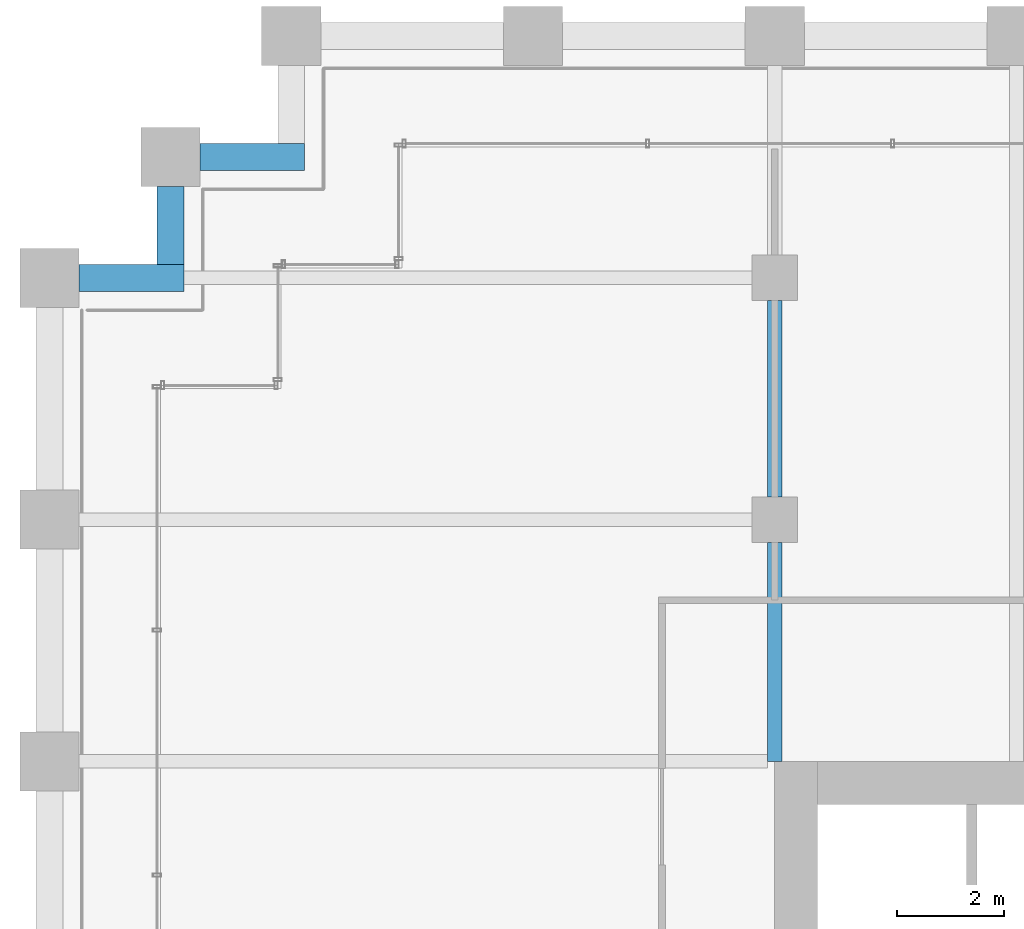
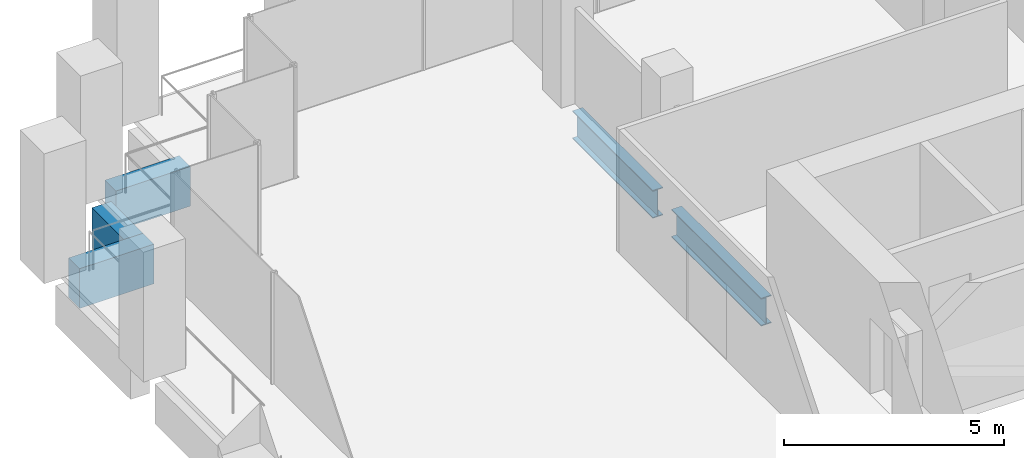
# One storey, part 25 of 54: 5 beams.
"""IFC4 building model written with IfcOpenShell, lengths in metres."""

from ifc_helpers import new_model, si_unit, direction, frame, origin, origin_2d, place, context, subcontext, project, spatial, rectangle, i_section, extrude, material, material_profile, profile_set, type_object, element, save


model = new_model("IFC4")

# Units and contexts
model_context = context("Model", 3, precision=1e-05, world=origin(), true_north=direction((0.0, 1.0)))
body_context = subcontext(model_context, "Body", "Model", "MODEL_VIEW")
ifc_project = project(units=[si_unit("LENGTHUNIT", "METRE"), si_unit("AREAUNIT", "SQUARE_METRE"), si_unit("VOLUMEUNIT", "CUBIC_METRE"), si_unit("PLANEANGLEUNIT", "RADIAN"), si_unit("MASSUNIT", "GRAM", prefix="KILO")], contexts=[model_context])

# Site, building, storey
site_placement = place(None, origin())
site = spatial("IfcSite", under=ifc_project, at=site_placement, CompositionType="ELEMENT")
building_placement = place(site_placement, origin())
building = spatial("IfcBuilding", under=site, at=building_placement, Name="Altepetl Exchange Towers", CompositionType="ELEMENT")
storey_placement = place(building_placement, frame((0.0, 0.0, 61.800048828125)))
storey = spatial("IfcBuildingStorey", under=building, at=storey_placement, Name="L14", CompositionType="ELEMENT", Elevation=61.800048828125)

# Beams
ifc_material_1 = material(Name="Steel S355", Category="steel")
ifc_material_profile_1 = material_profile(ifc_material_1, i_section(OverallWidth=0.26806640625, OverallDepth=0.77392578125, WebThickness=0.015380859375, FlangeThickness=0.025390625, at=origin_2d()), Name="W30X132")
ifc_profile_set_1 = profile_set([ifc_material_profile_1], Name="Steel S355")
beam_type_1 = type_object("IfcBeamType", Name="Girder W30X132", PredefinedType="BEAM", material=ifc_profile_set_1)
beam_1_placement = place(storey_placement, frame((40.5, 67.074951171875, -0.537109375), z_axis=(0.0, -1.0, 0.0), x_axis=(1.0, 0.0, 0.0)))
element("IfcBeam", 1, at=beam_1_placement, inside=storey, type_object=beam_type_1, Name="gd:A:L14:004", PredefinedType="BEAM", context=body_context, shape_type="SweptSolid", body=[
    extrude(i_section(OverallWidth=0.26806640625, OverallDepth=0.77392578125, WebThickness=0.015380859375, FlangeThickness=0.025390625, at=origin_2d()), origin(), (0.0, 0.0, 1.0), 3.64990234375),
])
beam_2_placement = place(storey_placement, frame((40.5, 62.574951171875, -0.537109375), z_axis=(0.0, -1.0, 0.0), x_axis=(1.0, 0.0, 0.0)))
element("IfcBeam", 2, at=beam_2_placement, inside=storey, type_object=beam_type_1, Name="gd:A:L14:005", PredefinedType="BEAM", context=body_context, shape_type="SweptSolid", body=[
    extrude(i_section(OverallWidth=0.26806640625, OverallDepth=0.77392578125, WebThickness=0.015380859375, FlangeThickness=0.025390625, at=origin_2d()), origin(), (0.0, 0.0, 1.0), 4.074951171875),
])
ifc_material_2 = material(Name="Concrete C50/60 precast with tezontle facing", Category="concrete")
ifc_material_profile_2 = material_profile(ifc_material_2, rectangle(XDim=0.5, YDim=1.10009765625, at=origin_2d()), Name="500 x 1100")
ifc_profile_set_2 = profile_set([ifc_material_profile_2], Name="Concrete C50/60 precast with tezontle facing")
beam_type_2 = type_object("IfcBeamType", Name="Spandrel beam 500x1100 tezontle", PredefinedType="SPANDREL", material=ifc_profile_set_2)
beam_3_placement = place(storey_placement, frame((31.75, 69.75, -0.699951171875), z_axis=(-1.0, 0.0, 0.0), x_axis=(0.0, -1.0, 0.0)))
element("IfcBeam", 3, at=beam_3_placement, inside=storey, type_object=beam_type_2, Name="sp:A:L14:033", PredefinedType="SPANDREL", context=body_context, shape_type="SweptSolid", body=[
    extrude(rectangle(XDim=0.5, YDim=1.10009765625, at=origin_2d()), origin(), (0.0, 0.0, 1.0), 1.949951171875),
])
beam_4_placement = place(storey_placement, frame((29.25, 69.199951171875, -0.699951171875), z_axis=(0.0, -1.0, 0.0), x_axis=(1.0, 0.0, 0.0)))
element("IfcBeam", 4, at=beam_4_placement, inside=storey, type_object=beam_type_2, Name="sp:A:L14:034", PredefinedType="SPANDREL", context=body_context, shape_type="SweptSolid", body=[
    extrude(rectangle(XDim=0.5, YDim=1.10009765625, at=origin_2d()), origin(), (0.0, 0.0, 1.0), 1.449951171875),
])
beam_5_placement = place(storey_placement, frame((29.5, 67.5, -0.699951171875), z_axis=(-1.0, 0.0, 0.0), x_axis=(0.0, -1.0, 0.0)))
element("IfcBeam", 5, at=beam_5_placement, inside=storey, type_object=beam_type_2, Name="sp:A:L14:035", PredefinedType="SPANDREL", context=body_context, shape_type="SweptSolid", body=[
    extrude(rectangle(XDim=0.5, YDim=1.10009765625, at=origin_2d()), origin(), (0.0, 0.0, 1.0), 1.949951171875),
])

save(model, "model.ifc")
